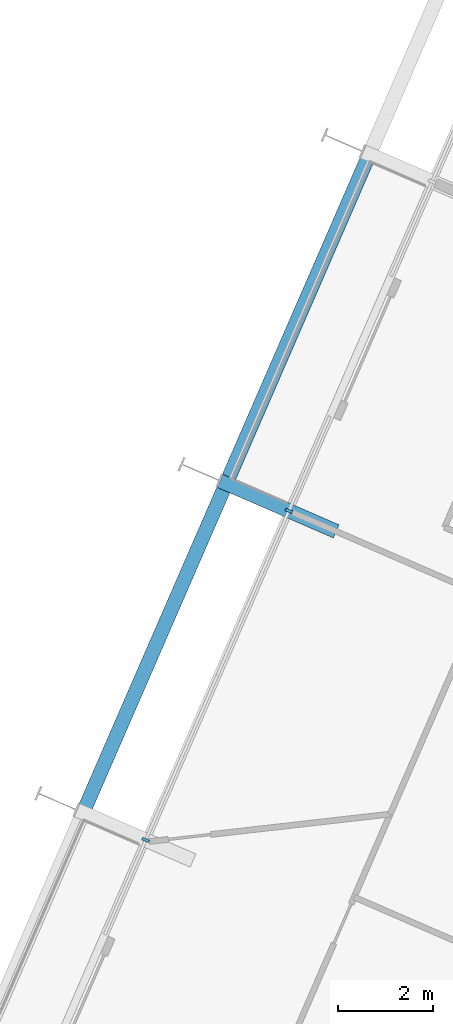
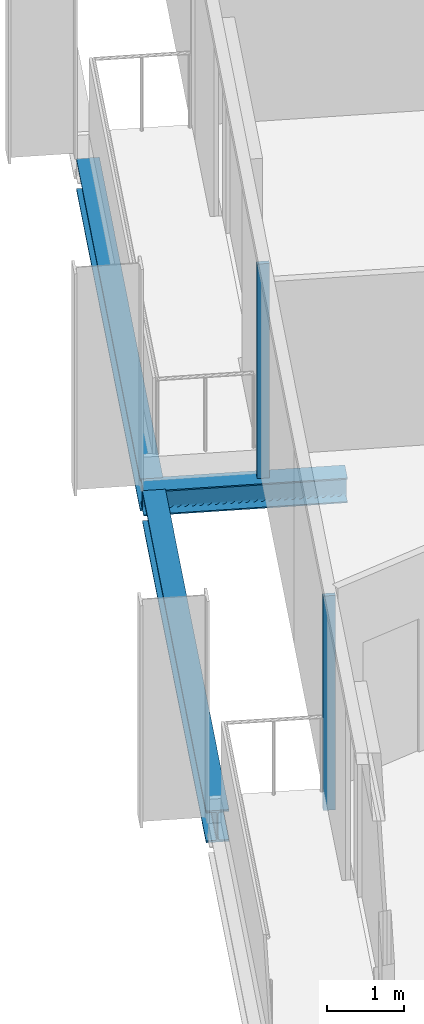
# One storey, part 5 of 24: 3 beams, 2 members, 1 element without a shape of its own.
"""IFC4 building model written with IfcOpenShell, lengths in metres."""

from ifc_helpers import new_model, si_unit, direction, frame, origin, origin_2d, place, context, subcontext, project, spatial, rectangle, i_section, extrude, material, layer, layer_set, material_profile, profile_set, type_object, element, aggregate, save


model = new_model("IFC4")

# Units and contexts
model_context = context("Model", 3, precision=1e-05, world=origin(), true_north=direction((0.0, 1.0)))
body_context = subcontext(model_context, "Body", "Model", "MODEL_VIEW")
ifc_project = project(units=[si_unit("LENGTHUNIT", "METRE"), si_unit("AREAUNIT", "SQUARE_METRE"), si_unit("VOLUMEUNIT", "CUBIC_METRE"), si_unit("PLANEANGLEUNIT", "RADIAN"), si_unit("MASSUNIT", "GRAM", prefix="KILO")], contexts=[model_context])

# Site, building, storey
site_placement = place(None, origin())
site = spatial("IfcSite", under=ifc_project, at=site_placement, CompositionType="ELEMENT")
building_placement = place(site_placement, origin())
building = spatial("IfcBuilding", under=site, at=building_placement, Name="Spindle Arch Residences", CompositionType="ELEMENT")
storey_placement = place(building_placement, frame((0.0, 0.0, 94.199951171875)))
storey = spatial("IfcBuildingStorey", under=building, at=storey_placement, Name="L22", CompositionType="ELEMENT", Elevation=94.199951171875)

# Curtain wall, members
ifc_material_1 = material(Name="Aluminium bronze unitised frame with tinted glass", Category="aluminium")
ifc_layer = layer(ifc_material_1, 0.159912109375)
ifc_layer_set = layer_set([ifc_layer], Name="CW-C typical residential unitised wall")
curtain_wall_type = type_object("IfcCurtainWallType", Name="CW-C typical residential unitised wall", PredefinedType="NOTDEFINED", material=ifc_layer_set)
curtain_wall_placement = place(storey_placement, origin())
curtain_wall = element("IfcCurtainWall", 1, at=curtain_wall_placement, inside=storey, type_object=curtain_wall_type, Name="CW-C L22 run 4", PredefinedType="NOTDEFINED")
ifc_material_2 = material(Name="Aluminium bronze anodised mullion", Category="aluminium")
ifc_material_profile_1 = material_profile(ifc_material_2, rectangle(XDim=0.159912109375, YDim=0.06005859375, at=origin_2d()), Name="MU 60x160")
ifc_profile_set_1 = profile_set([ifc_material_profile_1], Name="Aluminium bronze anodised mullion")
member_type = type_object("IfcMemberType", Name="Bronze mullion 60x160", PredefinedType="MULLION", material=ifc_profile_set_1)
member_1_placement = place(storey_placement, frame((-19.232666015625, 4.26318359375, -0.3798828125), z_axis=(0.0, 0.0, 1.0), x_axis=(0.917060074385, -0.398749068925, 0.0)))
member_1 = element("IfcMember", 2, at=member_1_placement, type_object=member_type, Name="CW-C mullion 16", PredefinedType="MULLION", context=body_context, shape_type="SweptSolid", body=[
    extrude(rectangle(XDim=0.159912109375, YDim=0.06005859375, at=origin_2d()), origin(), (0.0, 0.0, 1.0), 3.3798828125),
])
member_2_placement = place(storey_placement, frame((-22.23095703125, -2.632080078125, -0.3798828125), z_axis=(0.0, 0.0, 1.0), x_axis=(0.917060074385, -0.398749068925, 0.0)))
member_2 = element("IfcMember", 3, at=member_2_placement, type_object=member_type, Name="CW-C mullion 17", PredefinedType="MULLION", context=body_context, shape_type="SweptSolid", body=[
    extrude(rectangle(XDim=0.159912109375, YDim=0.06005859375, at=origin_2d()), origin(), (0.0, 0.0, 1.0), 3.3798828125),
])
aggregate(curtain_wall, [member_1, member_2])

# Beams
ifc_material_3 = material(Name="Steel S460ML, intumescent coating R 120", Category="steel")
ifc_material_profile_2 = material_profile(ifc_material_3, i_section(OverallWidth=0.300048828125, OverallDepth=0.5, WebThickness=0.014404296875, FlangeThickness=0.028076171875, FilletRadius=0.027099609375, at=origin_2d()), Name="HEB 500")
ifc_profile_set_2 = profile_set([ifc_material_profile_2], Name="Steel S460ML, intumescent coating R 120")
beam_type_1 = type_object("IfcBeamType", Name="Exoskeleton edge beam HEB 500", PredefinedType="BEAM", material=ifc_profile_set_2)
for number, where, z_axis, x_axis, name in (
    (4, (-17.6005859375, 11.610595703125, -0.6298828125), (-0.398760546857, -0.917055083553, 0.0), (0.917055083553, -0.398760546857, 0.0), "Exoskeleton edge beam 16"),
    (5, (-20.5986328125, 4.71533203125, -0.6298828125), (-0.398760546857, -0.917055083553, 0.0), (0.917055083553, -0.398760546857, 0.0), "Exoskeleton edge beam 17"),
):
    element("IfcBeam", number, at=place(storey_placement, frame(where, z_axis=z_axis, x_axis=x_axis)), inside=storey, type_object=beam_type_1, Name=name, PredefinedType="BEAM", context=body_context, shape_type="SweptSolid", body=[
        extrude(i_section(OverallWidth=0.300048828125, OverallDepth=0.5, WebThickness=0.014404296875, FlangeThickness=0.028076171875, FilletRadius=0.027099609375, at=origin_2d()), origin(), (0.0, 0.0, 1.0), 7.2587890625),
    ])
ifc_material_4 = material(Name="Steel S460ML, intumescent coating R 120", Category="steel")
ifc_material_profile_3 = material_profile(ifc_material_4, i_section(OverallWidth=0.300048828125, OverallDepth=0.389892578125, WebThickness=0.010986328125, FlangeThickness=0.01904296875, FilletRadius=0.027099609375, at=origin_2d()), Name="HEA 400")
ifc_profile_set_3 = profile_set([ifc_material_profile_3], Name="Steel S460ML, intumescent coating R 120")
beam_type_2 = type_object("IfcBeamType", Name="Floor outrigger HEA 400", PredefinedType="BEAM", material=ifc_profile_set_3)
beam_placement = place(storey_placement, frame((-20.672607421875, 4.889404296875, -0.574951171875), z_axis=(0.917045157424, -0.398783373831, 0.0), x_axis=(0.398783373831, 0.917045157424, 0.0)))
element("IfcBeam", 6, at=beam_placement, inside=storey, type_object=beam_type_2, Name="Floor outrigger 17", PredefinedType="BEAM", context=body_context, shape_type="SweptSolid", body=[
    extrude(i_section(OverallWidth=0.300048828125, OverallDepth=0.389892578125, WebThickness=0.010986328125, FlangeThickness=0.01904296875, FilletRadius=0.027099609375, at=origin_2d()), origin(), (0.0, 0.0, 1.0), 2.650390625),
])

save(model, "model.ifc")
